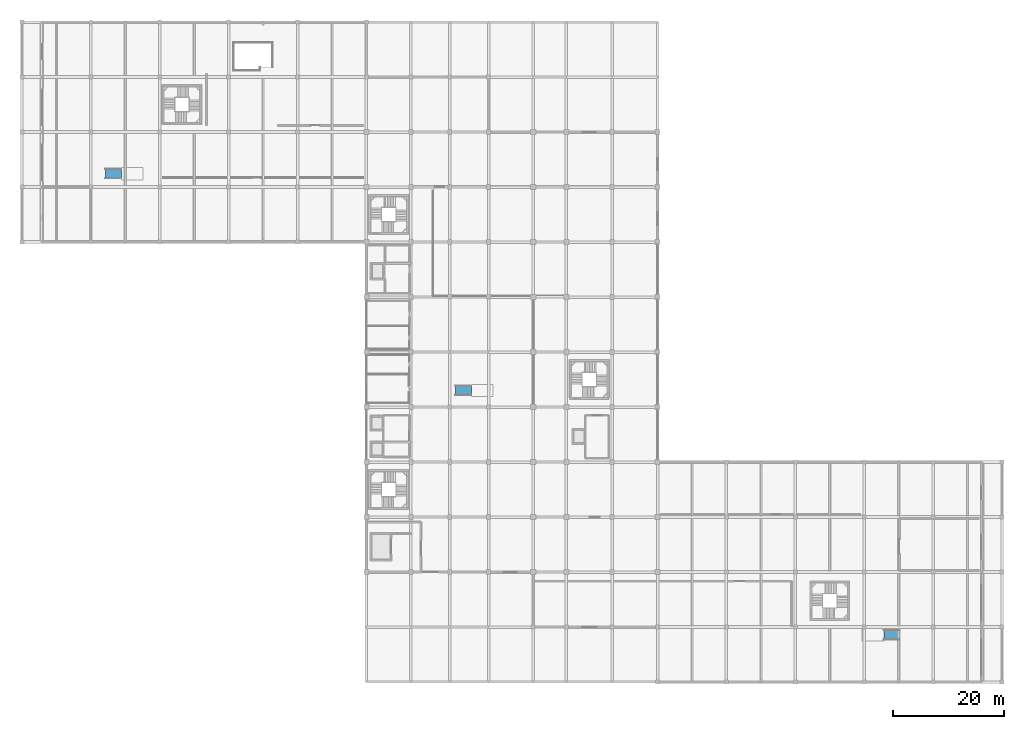
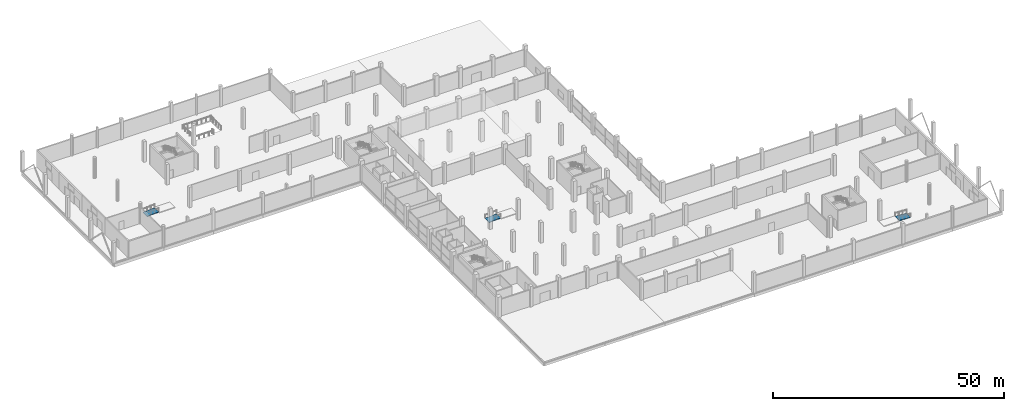
# One storey, part 25 of 50: 3 ramp flights, 3 elements without a shape of their own.
"""IFC4 building model written with IfcOpenShell, lengths in metres."""

from ifc_helpers import new_model, si_unit, direction, frame, origin, place, context, subcontext, project, spatial, polyline, outline, extrude, material, layer, layer_set, type_object, element, aggregate, save


model = new_model("IFC4")

# Units and contexts
model_context = context("Model", 3, precision=1e-05, world=origin(), true_north=direction((0.0, 1.0)))
body_context = subcontext(model_context, "Body", "Model", "MODEL_VIEW")
ifc_project = project(units=[si_unit("LENGTHUNIT", "METRE"), si_unit("AREAUNIT", "SQUARE_METRE"), si_unit("VOLUMEUNIT", "CUBIC_METRE"), si_unit("PLANEANGLEUNIT", "RADIAN"), si_unit("MASSUNIT", "GRAM", prefix="KILO")], contexts=[model_context])

# Site, building, storey
site_placement = place(None, origin())
site = spatial("IfcSite", under=ifc_project, at=site_placement, CompositionType="ELEMENT")
building_placement = place(site_placement, origin())
building = spatial("IfcBuilding", under=site, at=building_placement, Name="Sillaruma Civic Art Gallery", CompositionType="ELEMENT")
storey_placement = place(building_placement, origin())
storey = spatial("IfcBuildingStorey", under=building, at=storey_placement, Name="L00", CompositionType="ELEMENT", Elevation=0.0)

# Ramp, ramp flight
ifc_material = material(Name="Concrete H35 (35 MPa)", Category="concrete")
ramp_type = type_object("IfcRampType", Name="RMP-ACC-01", PredefinedType="STRAIGHT_RUN_RAMP", material=ifc_material)
ramp_1_placement = place(storey_placement, origin())
ramp_1 = element("IfcRamp", 1, at=ramp_1_placement, inside=storey, type_object=ramp_type, Name="West Foyer Accessible Gallery Ramp RMP-W1", PredefinedType="STRAIGHT_RUN_RAMP")
ifc_layer = layer(ifc_material, 0.179931640625, Name="Concrete H35 (35 MPa)")
ifc_layer_set = layer_set([ifc_layer], Name="Concrete H35 (35 MPa)")
ramp_flight_type = type_object("IfcRampFlightType", Name="RMP-FLT-01", PredefinedType="STRAIGHT", material=ifc_layer_set)
ramp_flight_1_placement = place(storey_placement, frame((15.0, 91.5, 0.0), z_axis=(0.0, 0.0, 1.0), x_axis=(1.0, 0.0, 0.0)))
ramp_flight_1 = element("IfcRampFlight", 2, at=ramp_flight_1_placement, type_object=ramp_flight_type, Name="West Foyer Accessible Gallery Ramp RMP-W1 Flight", PredefinedType="STRAIGHT", context=body_context, shape_type="SweptSolid", body=[
    extrude(outline(polyline([(0.0, 0.0), (2.8798828125, 0.179931640625), (2.8798828125, 0.0), (0.0, -0.179931640625), (0.0, 0.0)])), frame((0.0, 0.89990234375, 0.0), z_axis=(0.0, -1.0, 0.0), x_axis=(1.0, 0.0, 0.0)), (0.0, 0.0, 1.0), 1.800048828125),
])
aggregate(ramp_1, [ramp_flight_1])

ramp_2_placement = place(storey_placement, origin())
ramp_2 = element("IfcRamp", 3, at=ramp_2_placement, inside=storey, type_object=ramp_type, Name="East Foyer Accessible Gallery Ramp RMP-E1", PredefinedType="STRAIGHT_RUN_RAMP")
ramp_flight_2_placement = place(storey_placement, frame((158.0, 8.5, 0.0), z_axis=(0.0, 0.0, 1.0), x_axis=(-1.0, 0.0, 0.0)))
ramp_flight_2 = element("IfcRampFlight", 4, at=ramp_flight_2_placement, type_object=ramp_flight_type, Name="East Foyer Accessible Gallery Ramp RMP-E1 Flight", PredefinedType="STRAIGHT", context=body_context, shape_type="SweptSolid", body=[
    extrude(outline(polyline([(0.0, 0.0), (2.8798828125, 0.179931640625), (2.8798828125, 0.0), (0.0, -0.179931640625), (0.0, 0.0)])), frame((0.0, 0.89990234375, 0.0), z_axis=(0.0, -1.0, 0.0), x_axis=(1.0, 0.0, 0.0)), (0.0, 0.0, 1.0), 1.800048828125),
])
aggregate(ramp_2, [ramp_flight_2])

ramp_3_placement = place(storey_placement, origin())
ramp_3 = element("IfcRamp", 5, at=ramp_3_placement, inside=storey, type_object=ramp_type, Name="Sculpture Court Plinth Accessible Ramp RMP-SC1", PredefinedType="STRAIGHT_RUN_RAMP")
ramp_flight_3_placement = place(storey_placement, frame((78.0, 52.5, 0.0), z_axis=(0.0, 0.0, 1.0), x_axis=(1.0, 0.0, 0.0)))
ramp_flight_3 = element("IfcRampFlight", 6, at=ramp_flight_3_placement, type_object=ramp_flight_type, Name="Sculpture Court Plinth Accessible Ramp RMP-SC1 Flight", PredefinedType="STRAIGHT", context=body_context, shape_type="SweptSolid", body=[
    extrude(outline(polyline([(0.0, 0.0), (2.8798828125, 0.179931640625), (2.8798828125, 0.0), (0.0, -0.179931640625), (0.0, 0.0)])), frame((0.0, 0.89990234375, 0.0), z_axis=(0.0, -1.0, 0.0), x_axis=(1.0, 0.0, 0.0)), (0.0, 0.0, 1.0), 1.800048828125),
])
aggregate(ramp_3, [ramp_flight_3])

save(model, "model.ifc")
